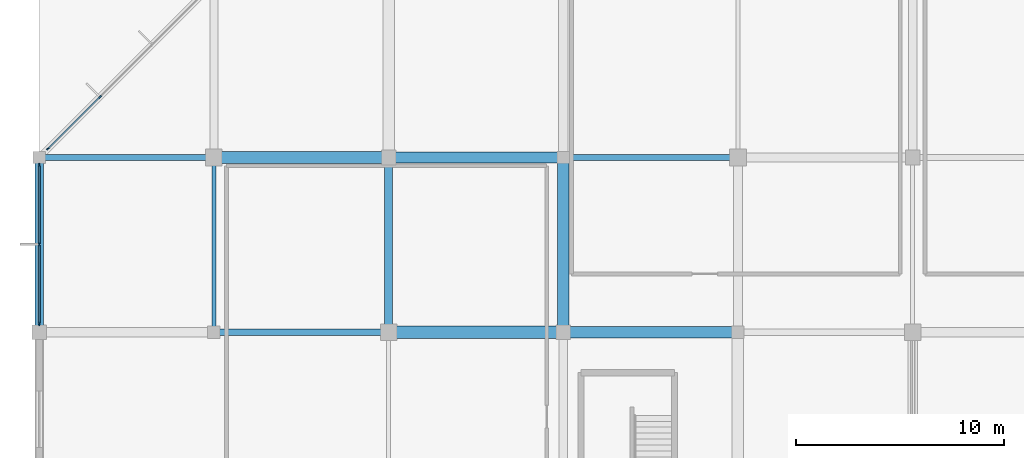
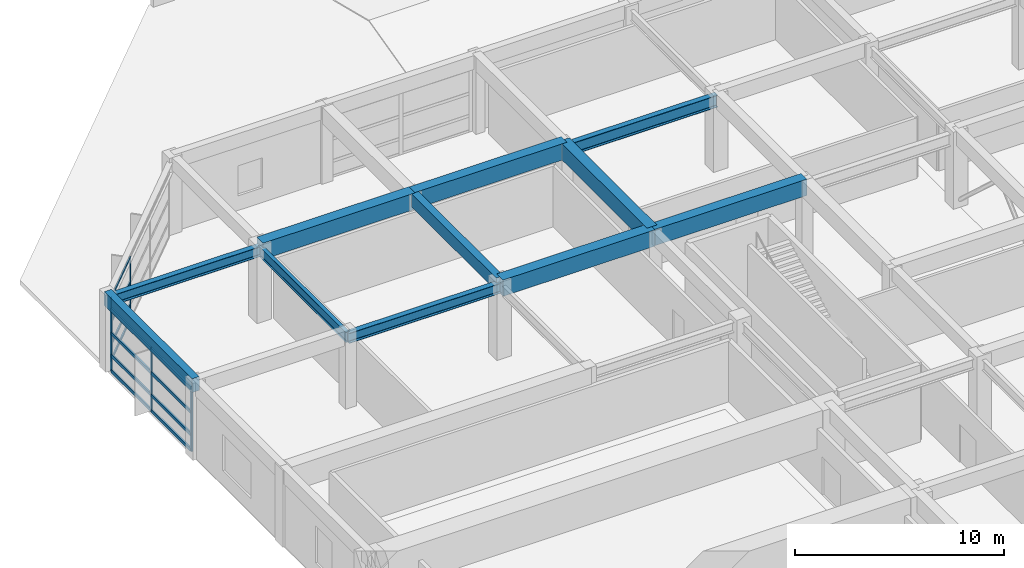
# One storey, part 20 of 60: 17 members, 11 beams, 2 elements without a shape of their own.
"""IFC4 building model written with IfcOpenShell, lengths in metres."""

import ifcopenshell
import ifcopenshell.guid

model = None  # the IFC model being written
_history = None  # IfcOwnerHistory: only IFC2X3 demands one
_inside = {}  # id of a spatial element -> (the spatial element, [elements in it])
_under = {}  # id of a project, library or spatial element -> (it, [spatial elements below it])
_declared = {}  # id of a project -> (the project, [libraries it declares])
_typed = {}  # id of a type object -> (the type object, [elements of that type])
_made_of = {}  # id of a material, layer set ... -> (it, [elements and type objects made of it])


def new_model(schema):
    """Start an empty IFC model of exactly this schema.

    Asked for "IFC4X3", IfcOpenShell would pick the latest addendum, in which some entities
    have other attributes; the version numbers below select the first issue.
    IFC2X3 requires an IfcOwnerHistory on every rooted entity: one is made here for all.
    """
    global model, _history
    if schema == "IFC4X3":
        model = ifcopenshell.file(schema_version=(4, 3, 0, 0))
    else:
        model = ifcopenshell.file(schema=schema)
    _inside.clear()
    _under.clear()
    _declared.clear()
    _typed.clear()
    _made_of.clear()
    _history = None
    if model.schema == "IFC2X3":
        org = make("IfcOrganization", Name="unknown")
        user = make(
            "IfcPersonAndOrganization",
            ThePerson=make("IfcPerson", FamilyName="unknown"),
            TheOrganization=org,
        )
        app = make(
            "IfcApplication",
            ApplicationDeveloper=org,
            Version="unknown",
            ApplicationFullName="unknown",
            ApplicationIdentifier="unknown",
        )
        _history = make(
            "IfcOwnerHistory",
            OwningUser=user,
            OwningApplication=app,
            ChangeAction="ADDED",
            CreationDate=0,
        )
    return model


def make(cls, **values):
    """One entity of the class cls with the attributes given. An attribute that is None is left unset."""
    return model.create_entity(
        cls, **{name: value for name, value in values.items() if value is not None}
    )


def rooted(cls, **values):
    """An entity with a GlobalId (a new one), such as an element, a storey or a relation."""
    return make(cls, GlobalId=ifcopenshell.guid.new(), OwnerHistory=_history, **values)


def si_unit(unit_type, name, prefix=None):
    """IfcSIUnit, for example si_unit("LENGTHUNIT", "METRE", prefix="MILLI")."""
    return make("IfcSIUnit", UnitType=unit_type, Prefix=prefix, Name=name)


def assignment(units):
    """IfcUnitAssignment: the units of a project."""
    return None if units is None else make("IfcUnitAssignment", Units=units)


def point(xyz):
    """IfcCartesianPoint."""
    return None if xyz is None else make("IfcCartesianPoint", Coordinates=xyz)


def direction(xyz):
    """IfcDirection."""
    return None if xyz is None else make("IfcDirection", DirectionRatios=xyz)


def frame(location, z_axis=None, x_axis=None):
    """IfcAxis2Placement3D, a coordinate frame: its origin and axes. An axis left out is left unset."""
    return make(
        "IfcAxis2Placement3D",
        Location=point(location),
        Axis=direction(z_axis),
        RefDirection=direction(x_axis),
    )


def frame_2d(location, x_axis=None):
    """IfcAxis2Placement2D, a coordinate frame in the plane: its origin and x axis."""
    return make(
        "IfcAxis2Placement2D", Location=point(location), RefDirection=direction(x_axis)
    )


def origin():
    """The frame at (0, 0, 0) with its axes left unset."""
    return frame((0.0, 0.0, 0.0))


def origin_2d():
    """The frame at (0, 0) in the plane with its x axis left unset."""
    return frame_2d((0.0, 0.0))


def place(relative_to, where):
    """IfcLocalPlacement: puts the frame where relative to a parent placement (None: the world)."""
    return make(
        "IfcLocalPlacement", PlacementRelTo=relative_to, RelativePlacement=where
    )


def context(
    kind, dimensions, precision=None, world=None, true_north=None, identifier=None
):
    """IfcGeometricRepresentationContext, for example the 3D "Model" context."""
    return make(
        "IfcGeometricRepresentationContext",
        ContextIdentifier=identifier,
        ContextType=kind,
        CoordinateSpaceDimension=dimensions,
        Precision=precision,
        WorldCoordinateSystem=world,
        TrueNorth=true_north,
    )


def subcontext(parent, identifier, kind, view, scale=None):
    """IfcGeometricRepresentationSubContext, for example "Body" below "Model"."""
    return make(
        "IfcGeometricRepresentationSubContext",
        ContextIdentifier=identifier,
        ContextType=kind,
        ParentContext=parent,
        TargetScale=scale,
        TargetView=view,
    )


def project(units=None, contexts=None):
    """IfcProject with its units and contexts."""
    return rooted(
        "IfcProject",
        Name="project",
        RepresentationContexts=contexts,
        UnitsInContext=assignment(units),
    )


def spatial(cls, under=None, at=None, **own):
    """A site, building, storey or space (cls), placed at a placement, below another one or the project."""
    s = rooted(cls, ObjectPlacement=at, **own)
    if under is not None:
        _under.setdefault(under.id(), (under, []))[1].append(s)
    return s


def profile(cls, at=None, kind="AREA", **sizes):
    """A parametric profile (cls). Its sizes go by their IFC names, for example OverallWidth=200.0."""
    return make(cls, ProfileType=kind, Position=at, **sizes)


def rectangle(**sizes):
    """IfcRectangleProfileDef."""
    return profile("IfcRectangleProfileDef", **sizes)


def i_section(**sizes):
    """IfcIShapeProfileDef."""
    return profile("IfcIShapeProfileDef", **sizes)


def extrude(swept, where, along, depth):
    """IfcExtrudedAreaSolid: the profile swept, set in the frame where, extruded along a direction by depth."""
    return make(
        "IfcExtrudedAreaSolid",
        SweptArea=swept,
        Position=where,
        ExtrudedDirection=direction(along),
        Depth=depth,
    )


def shape(context_of_items, identifier, shape_type, items):
    """IfcShapeRepresentation: the items that make up one representation, for example the "Body"."""
    return make(
        "IfcShapeRepresentation",
        ContextOfItems=context_of_items,
        RepresentationIdentifier=identifier,
        RepresentationType=shape_type,
        Items=items,
    )


def material(Name=None, Category=None):
    """IfcMaterial."""
    return make("IfcMaterial", Name=Name, Category=Category)


def material_profile(
    of_material, cross_section, Name=None, Category=None, Priority=None
):
    """IfcMaterialProfile: a cross section and its material."""
    return make(
        "IfcMaterialProfile",
        Name=Name,
        Material=of_material,
        Profile=cross_section,
        Priority=Priority,
        Category=Category,
    )


def profile_set(profiles, Name=None, composite=None):
    """IfcMaterialProfileSet."""
    return make(
        "IfcMaterialProfileSet",
        Name=Name,
        MaterialProfiles=profiles,
        CompositeProfile=composite,
    )


def made_of(thing, what):
    """Note that an element or type object is made of a material, layer set ...; save() writes the relation."""
    if what is not None:
        _made_of.setdefault(what.id(), (what, []))[1].append(thing)
    return thing


def type_object(cls, material=None, **own):
    """A type object (cls), such as IfcWallType, which elements share."""
    return made_of(rooted(cls, **own), material)


def element(
    cls,
    number,
    at=None,
    inside=None,
    cuts=None,
    type_object=None,
    material=None,
    context=None,
    identifier="Body",
    shape_type=None,
    held_by="IfcProductDefinitionShape",
    body=None,
    shapes=None,
    **own,
):
    """One element of the class cls, such as IfcWall. Its Tag is "e" and its number.

    at: its placement. inside: the storey or other place that contains it. cuts: it is an
    opening in that element (IfcRelVoidsElement). A single representation is given by context,
    identifier, shape_type and body (its items); several are given by shapes. held_by: the class
    of the entity that holds the representations. save() writes the other relations.
    """
    e = rooted(cls, Tag="e%d" % number, ObjectPlacement=at, **own)
    if body is not None:
        shapes = [shape(context, identifier, shape_type, body)]
    if shapes is not None:
        e.Representation = make(held_by, Representations=shapes)
    if inside is not None:
        _inside.setdefault(inside.id(), (inside, []))[1].append(e)
    if cuts is not None:
        rooted(
            "IfcRelVoidsElement", RelatingBuildingElement=cuts, RelatedOpeningElement=e
        )
    if type_object is not None:
        _typed.setdefault(type_object.id(), (type_object, []))[1].append(e)
    return made_of(e, material)


def aggregate(whole, parts):
    """IfcRelAggregates: a whole, such as a stair, and the parts it consists of."""
    return rooted("IfcRelAggregates", RelatingObject=whole, RelatedObjects=parts)


def save(model, path):
    """Write the relations noted so far, then the file.

    IfcRelAggregates (storeys below a building ...), IfcRelContainedInSpatialStructure (elements
    in a storey), IfcRelDefinesByType, IfcRelAssociatesMaterial and IfcRelDeclares: one each for
    every whole, place, type object, material and project.
    """
    for whole, parts in _under.values():
        aggregate(whole, parts)
    for where, things in _inside.values():
        rooted(
            "IfcRelContainedInSpatialStructure",
            RelatedElements=things,
            RelatingStructure=where,
        )
    for kind, things in _typed.values():
        rooted("IfcRelDefinesByType", RelatedObjects=things, RelatingType=kind)
    for what, things in _made_of.values():
        rooted("IfcRelAssociatesMaterial", RelatedObjects=things, RelatingMaterial=what)
    for by, libraries in _declared.values():
        rooted("IfcRelDeclares", RelatingContext=by, RelatedDefinitions=libraries)
    model.write(path)


model = new_model("IFC4")

# Units and contexts
model_context = context("Model", 3, precision=1e-05, world=origin(), true_north=direction((0.0, 1.0)))
body_context = subcontext(model_context, "Body", "Model", "MODEL_VIEW")
ifc_project = project(units=[si_unit("LENGTHUNIT", "METRE"), si_unit("AREAUNIT", "SQUARE_METRE"), si_unit("VOLUMEUNIT", "CUBIC_METRE"), si_unit("PLANEANGLEUNIT", "RADIAN"), si_unit("MASSUNIT", "GRAM", prefix="KILO")], contexts=[model_context])

# Site, building, storey
site_placement = place(None, origin())
site = spatial("IfcSite", under=ifc_project, at=site_placement, CompositionType="ELEMENT")
building_placement = place(site_placement, origin())
building = spatial("IfcBuilding", under=site, at=building_placement, Name="Xuanlan Plaza Opera House", CompositionType="ELEMENT")
storey_placement = place(building_placement, frame((0.0, 0.0, 9.89990234375)))
storey = spatial("IfcBuildingStorey", under=building, at=storey_placement, Name="L02", CompositionType="ELEMENT", Elevation=9.89990234375)

# Curtain wall, members
ifc_material_1 = material(Name="Anodised Aluminium 6063-T6 and Low-E Glass", Category="aluminium")
curtain_wall_type_1 = type_object("IfcCurtainWallType", Name="ENV-CW-CW-03", PredefinedType="USERDEFINED", material=ifc_material_1)
curtain_wall_1_placement = place(storey_placement, origin())
curtain_wall_1 = element("IfcCurtainWall", 1, at=curtain_wall_1_placement, inside=storey, type_object=curtain_wall_type_1, Name="Unitised Curtain Wall L02-047", ObjectType="UNITISED CURTAIN WALL", PredefinedType="USERDEFINED")
ifc_material_2 = material(Name="Anodised Aluminium 6063-T6", Category="aluminium")
ifc_material_profile_1 = material_profile(ifc_material_2, rectangle(XDim=0.06494140625, YDim=0.159912109375, at=origin_2d()), Name="ALU-M 65x160")
ifc_profile_set_1 = profile_set([ifc_material_profile_1], Name="Anodised Aluminium 6063-T6")
member_type_1 = type_object("IfcMemberType", Name="ENV-CWM-01", PredefinedType="MULLION", material=ifc_profile_set_1)
member_1_placement = place(storey_placement, frame((2.916259765625, 95.31640625, 0.0), z_axis=(0.0, 0.0, 1.0), x_axis=(0.707106781187, -0.707106781187, 0.0)))
member_1 = element("IfcMember", 2, at=member_1_placement, type_object=member_type_1, Name="CW-03 mullion 3", PredefinedType="MULLION", context=body_context, shape_type="SweptSolid", body=[
    extrude(rectangle(XDim=0.06494140625, YDim=0.159912109375, at=origin_2d()), origin(), (0.0, 0.0, 1.0), 3.68017578125),
])
member_2_placement = place(storey_placement, frame((0.421875, 92.822021484375, 0.0), z_axis=(0.0, 0.0, 1.0), x_axis=(0.707106781187, -0.707106781187, 0.0)))
member_2 = element("IfcMember", 3, at=member_2_placement, type_object=member_type_1, Name="CW-03 mullion 4", PredefinedType="MULLION", context=body_context, shape_type="SweptSolid", body=[
    extrude(rectangle(XDim=0.06494140625, YDim=0.159912109375, at=origin_2d()), origin(), (0.0, 0.0, 1.0), 3.68017578125),
])

curtain_wall_type_2 = type_object("IfcCurtainWallType", Name="ENV-CW-CW-04", PredefinedType="USERDEFINED", material=ifc_material_1)
curtain_wall_2_placement = place(storey_placement, origin())
curtain_wall_2 = element("IfcCurtainWall", 4, at=curtain_wall_2_placement, inside=storey, type_object=curtain_wall_type_2, Name="Unitised Curtain Wall L02-048", ObjectType="UNITISED CURTAIN WALL", PredefinedType="USERDEFINED")
ifc_material_profile_2 = material_profile(ifc_material_2, rectangle(XDim=0.070068359375, YDim=0.179931640625, at=origin_2d()), Name="ALU-M 70x180")
ifc_profile_set_2 = profile_set([ifc_material_profile_2], Name="Anodised Aluminium 6063-T6")
member_type_2 = type_object("IfcMemberType", Name="ENV-CWM-02", PredefinedType="MULLION", material=ifc_profile_set_2)
member_3_placement = place(storey_placement, frame((0.0, 92.044921875, 0.0), z_axis=(0.0, 0.0, 1.0), x_axis=(1.0, 0.0, 0.0)))
member_3 = element("IfcMember", 5, at=member_3_placement, type_object=member_type_2, Name="CW-04 mullion 1", PredefinedType="MULLION", context=body_context, shape_type="SweptSolid", body=[
    extrude(rectangle(XDim=0.070068359375, YDim=0.179931640625, at=origin_2d()), origin(), (0.0, 0.0, 1.0), 3.68017578125),
])
member_4_placement = place(storey_placement, frame((0.0, 88.22509765625, 0.0), z_axis=(0.0, 0.0, 1.0), x_axis=(1.0, 0.0, 0.0)))
member_4 = element("IfcMember", 6, at=member_4_placement, type_object=member_type_2, Name="CW-04 mullion 2", PredefinedType="MULLION", context=body_context, shape_type="SweptSolid", body=[
    extrude(rectangle(XDim=0.070068359375, YDim=0.179931640625, at=origin_2d()), origin(), (0.0, 0.0, 1.0), 3.68017578125),
])
member_5_placement = place(storey_placement, frame((0.0, 84.405029296875, 0.0), z_axis=(0.0, 0.0, 1.0), x_axis=(1.0, 0.0, 0.0)))
member_5 = element("IfcMember", 7, at=member_5_placement, type_object=member_type_2, Name="CW-04 mullion 3", PredefinedType="MULLION", context=body_context, shape_type="SweptSolid", body=[
    extrude(rectangle(XDim=0.070068359375, YDim=0.179931640625, at=origin_2d()), origin(), (0.0, 0.0, 1.0), 3.68017578125),
])

# Member
ifc_material_profile_3 = material_profile(ifc_material_2, rectangle(XDim=0.074951171875, YDim=0.14990234375, at=origin_2d()), Name="ALU-T 75x150")
ifc_profile_set_3 = profile_set([ifc_material_profile_3], Name="Anodised Aluminium 6063-T6")
member_type_3 = type_object("IfcMemberType", Name="ENV-CWT-03", PredefinedType="USERDEFINED", material=ifc_profile_set_3)
member_6_placement = place(storey_placement, frame((2.893310546875, 95.29345703125, 0.03759765625), z_axis=(-0.707071525445, -0.70714203517, 0.0), x_axis=(0.70714203517, -0.707071525445, 0.0)))
member_6 = element("IfcMember", 8, at=member_6_placement, type_object=member_type_3, Name="CW-03 transom 3.1", ObjectType="TRANSOM", PredefinedType="USERDEFINED", context=body_context, shape_type="SweptSolid", body=[
    extrude(rectangle(XDim=0.074951171875, YDim=0.14990234375, at=origin_2d()), origin(), (0.0, 0.0, 1.0), 3.46240234375),
])

member_7_placement = place(storey_placement, frame((2.893310546875, 95.29345703125, 0.9501953125), z_axis=(-0.707071525445, -0.70714203517, 0.0), x_axis=(0.70714203517, -0.707071525445, 0.0)))
member_7 = element("IfcMember", 9, at=member_7_placement, type_object=member_type_3, Name="CW-03 transom 3.2", ObjectType="TRANSOM", PredefinedType="USERDEFINED", context=body_context, shape_type="SweptSolid", body=[
    extrude(rectangle(XDim=0.074951171875, YDim=0.14990234375, at=origin_2d()), origin(), (0.0, 0.0, 1.0), 3.46240234375),
])

member_8_placement = place(storey_placement, frame((2.893310546875, 95.29345703125, 2.25), z_axis=(-0.707071525445, -0.70714203517, 0.0), x_axis=(0.70714203517, -0.707071525445, 0.0)))
member_8 = element("IfcMember", 10, at=member_8_placement, type_object=member_type_3, Name="CW-03 transom 3.3", ObjectType="TRANSOM", PredefinedType="USERDEFINED", context=body_context, shape_type="SweptSolid", body=[
    extrude(rectangle(XDim=0.074951171875, YDim=0.14990234375, at=origin_2d()), origin(), (0.0, 0.0, 1.0), 3.46240234375),
])

member_9_placement = place(storey_placement, frame((2.893310546875, 95.29345703125, 3.642578125), z_axis=(-0.707071525445, -0.70714203517, 0.0), x_axis=(0.70714203517, -0.707071525445, 0.0)))
member_9 = element("IfcMember", 11, at=member_9_placement, type_object=member_type_3, Name="CW-03 transom 3.4", ObjectType="TRANSOM", PredefinedType="USERDEFINED", context=body_context, shape_type="SweptSolid", body=[
    extrude(rectangle(XDim=0.074951171875, YDim=0.14990234375, at=origin_2d()), origin(), (0.0, 0.0, 1.0), 3.46240234375),
])

aggregate(curtain_wall_1, [member_1, member_2, member_6, member_7, member_8, member_9])

ifc_material_profile_4 = material_profile(ifc_material_2, rectangle(XDim=0.090087890625, YDim=0.179931640625, at=origin_2d()), Name="ALU-T 90x180")
ifc_profile_set_4 = profile_set([ifc_material_profile_4], Name="Anodised Aluminium 6063-T6")
member_type_4 = type_object("IfcMemberType", Name="ENV-CWT-05", PredefinedType="USERDEFINED", material=ifc_profile_set_4)
member_10_placement = place(storey_placement, frame((0.0, 92.010009765625, 0.045166015625), z_axis=(0.0, -1.0, 0.0), x_axis=(1.0, 0.0, 0.0)))
member_10 = element("IfcMember", 12, at=member_10_placement, type_object=member_type_4, Name="CW-04 transom 1.1", ObjectType="TRANSOM", PredefinedType="USERDEFINED", context=body_context, shape_type="SweptSolid", body=[
    extrude(rectangle(XDim=0.090087890625, YDim=0.179931640625, at=origin_2d()), origin(), (0.0, 0.0, 1.0), 3.75),
])

member_11_placement = place(storey_placement, frame((0.0, 92.010009765625, 0.9501953125), z_axis=(0.0, -1.0, 0.0), x_axis=(1.0, 0.0, 0.0)))
member_11 = element("IfcMember", 13, at=member_11_placement, type_object=member_type_4, Name="CW-04 transom 1.2", ObjectType="TRANSOM", PredefinedType="USERDEFINED", context=body_context, shape_type="SweptSolid", body=[
    extrude(rectangle(XDim=0.090087890625, YDim=0.179931640625, at=origin_2d()), origin(), (0.0, 0.0, 1.0), 3.75),
])

member_12_placement = place(storey_placement, frame((0.0, 92.010009765625, 2.25), z_axis=(0.0, -1.0, 0.0), x_axis=(1.0, 0.0, 0.0)))
member_12 = element("IfcMember", 14, at=member_12_placement, type_object=member_type_4, Name="CW-04 transom 1.3", ObjectType="TRANSOM", PredefinedType="USERDEFINED", context=body_context, shape_type="SweptSolid", body=[
    extrude(rectangle(XDim=0.090087890625, YDim=0.179931640625, at=origin_2d()), origin(), (0.0, 0.0, 1.0), 3.75),
])

member_13_placement = place(storey_placement, frame((0.0, 92.010009765625, 3.635009765625), z_axis=(0.0, -1.0, 0.0), x_axis=(1.0, 0.0, 0.0)))
member_13 = element("IfcMember", 15, at=member_13_placement, type_object=member_type_4, Name="CW-04 transom 1.4", ObjectType="TRANSOM", PredefinedType="USERDEFINED", context=body_context, shape_type="SweptSolid", body=[
    extrude(rectangle(XDim=0.090087890625, YDim=0.179931640625, at=origin_2d()), origin(), (0.0, 0.0, 1.0), 3.75),
])

member_14_placement = place(storey_placement, frame((0.0, 88.18994140625, 0.045166015625), z_axis=(0.0, -1.0, 0.0), x_axis=(1.0, 0.0, 0.0)))
member_14 = element("IfcMember", 16, at=member_14_placement, type_object=member_type_4, Name="CW-04 transom 2.1", ObjectType="TRANSOM", PredefinedType="USERDEFINED", context=body_context, shape_type="SweptSolid", body=[
    extrude(rectangle(XDim=0.090087890625, YDim=0.179931640625, at=origin_2d()), origin(), (0.0, 0.0, 1.0), 3.75),
])

member_15_placement = place(storey_placement, frame((0.0, 88.18994140625, 0.9501953125), z_axis=(0.0, -1.0, 0.0), x_axis=(1.0, 0.0, 0.0)))
member_15 = element("IfcMember", 17, at=member_15_placement, type_object=member_type_4, Name="CW-04 transom 2.2", ObjectType="TRANSOM", PredefinedType="USERDEFINED", context=body_context, shape_type="SweptSolid", body=[
    extrude(rectangle(XDim=0.090087890625, YDim=0.179931640625, at=origin_2d()), origin(), (0.0, 0.0, 1.0), 3.75),
])

member_16_placement = place(storey_placement, frame((0.0, 88.18994140625, 2.25), z_axis=(0.0, -1.0, 0.0), x_axis=(1.0, 0.0, 0.0)))
member_16 = element("IfcMember", 18, at=member_16_placement, type_object=member_type_4, Name="CW-04 transom 2.3", ObjectType="TRANSOM", PredefinedType="USERDEFINED", context=body_context, shape_type="SweptSolid", body=[
    extrude(rectangle(XDim=0.090087890625, YDim=0.179931640625, at=origin_2d()), origin(), (0.0, 0.0, 1.0), 3.75),
])

member_17_placement = place(storey_placement, frame((0.0, 88.18994140625, 3.635009765625), z_axis=(0.0, -1.0, 0.0), x_axis=(1.0, 0.0, 0.0)))
member_17 = element("IfcMember", 19, at=member_17_placement, type_object=member_type_4, Name="CW-04 transom 2.4", ObjectType="TRANSOM", PredefinedType="USERDEFINED", context=body_context, shape_type="SweptSolid", body=[
    extrude(rectangle(XDim=0.090087890625, YDim=0.179931640625, at=origin_2d()), origin(), (0.0, 0.0, 1.0), 3.75),
])

aggregate(curtain_wall_2, [member_3, member_4, member_5, member_10, member_11, member_12, member_13, member_14, member_15, member_16, member_17])

# Beams
ifc_material_3 = material(Name="Concrete C50", Category="concrete")
ifc_material_profile_5 = material_profile(ifc_material_3, rectangle(XDim=0.60009765625, YDim=0.949951171875, at=origin_2d()), Name="RC-BM 600x950")
ifc_profile_set_5 = profile_set([ifc_material_profile_5], Name="Concrete C50")
beam_type_1 = type_object("IfcBeamType", Name="STR-BM-B-01", PredefinedType="BEAM", material=ifc_profile_set_5)
beam_1_placement = place(storey_placement, frame((16.800048828125, 84.0, 4.025146484375), z_axis=(1.0, 0.0, 0.0), x_axis=(0.0, 1.0, 0.0)))
element("IfcBeam", 20, at=beam_1_placement, inside=storey, type_object=beam_type_1, Name="Grid Beam X L02 3-4/K", PredefinedType="BEAM", context=body_context, shape_type="SweptSolid", body=[
    extrude(rectangle(XDim=0.60009765625, YDim=0.949951171875, at=origin_2d()), origin(), (0.0, 0.0, 1.0), 8.39990234375),
])
beam_2_placement = place(storey_placement, frame((8.39990234375, 92.39990234375, 4.025146484375), z_axis=(1.0, 0.0, 0.0), x_axis=(0.0, 1.0, 0.0)))
element("IfcBeam", 21, at=beam_2_placement, inside=storey, type_object=beam_type_1, Name="Grid Beam X L02 2-3/L", PredefinedType="BEAM", context=body_context, shape_type="SweptSolid", body=[
    extrude(rectangle(XDim=0.60009765625, YDim=0.949951171875, at=origin_2d()), origin(), (0.0, 0.0, 1.0), 8.400146484375),
])
ifc_material_profile_6 = material_profile(ifc_material_3, rectangle(XDim=0.550048828125, YDim=0.949951171875, at=origin_2d()), Name="RC-BM 550x950")
ifc_profile_set_6 = profile_set([ifc_material_profile_6], Name="Concrete C50")
beam_type_2 = type_object("IfcBeamType", Name="STR-BM-B-02", PredefinedType="BEAM", material=ifc_profile_set_6)
beam_3_placement = place(storey_placement, frame((25.199951171875, 84.0, 4.025146484375), z_axis=(1.0, 0.0, 0.0), x_axis=(0.0, 1.0, 0.0)))
element("IfcBeam", 22, at=beam_3_placement, inside=storey, type_object=beam_type_2, Name="Grid Beam X L02 4-5/K", PredefinedType="BEAM", context=body_context, shape_type="SweptSolid", body=[
    extrude(rectangle(XDim=0.550048828125, YDim=0.949951171875, at=origin_2d()), origin(), (0.0, 0.0, 1.0), 8.400146484375),
])
for number, where, z_axis, x_axis, name in (
    (23, (16.800048828125, 92.39990234375, 4.025146484375), (1.0, 0.0, 0.0), (0.0, 1.0, 0.0), "Grid Beam X L02 3-4/L"),
    (24, (25.199951171875, 84.0, 4.025146484375), (0.0, 1.0, 0.0), (-1.0, 0.0, 0.0), "Grid Beam Y L02 4/K-L"),
):
    element("IfcBeam", number, at=place(storey_placement, frame(where, z_axis=z_axis, x_axis=x_axis)), inside=storey, type_object=beam_type_2, Name=name, PredefinedType="BEAM", context=body_context, shape_type="SweptSolid", body=[
        extrude(rectangle(XDim=0.550048828125, YDim=0.949951171875, at=origin_2d()), origin(), (0.0, 0.0, 1.0), 8.39990234375),
    ])
ifc_material_4 = material(Name="Concrete C40", Category="concrete")
ifc_material_profile_7 = material_profile(ifc_material_4, rectangle(XDim=0.39990234375, YDim=0.75, at=origin_2d()), Name="RC-BM 400x750")
ifc_profile_set_7 = profile_set([ifc_material_profile_7], Name="Concrete C40")
beam_type_3 = type_object("IfcBeamType", Name="STR-BM-B-06", PredefinedType="BEAM", material=ifc_profile_set_7)
beam_4_placement = place(storey_placement, frame((16.800048828125, 84.0, 4.125), z_axis=(0.0, 1.0, 0.0), x_axis=(-1.0, 0.0, 0.0)))
element("IfcBeam", 25, at=beam_4_placement, inside=storey, type_object=beam_type_3, Name="Grid Beam Y L02 3/K-L", PredefinedType="BEAM", context=body_context, shape_type="SweptSolid", body=[
    extrude(rectangle(XDim=0.39990234375, YDim=0.75, at=origin_2d()), origin(), (0.0, 0.0, 1.0), 8.39990234375),
])
ifc_material_5 = material(Name="Steel Q355B", Category="steel")
ifc_material_profile_8 = material_profile(ifc_material_5, i_section(OverallWidth=0.300048828125, OverallDepth=0.699951171875, WebThickness=0.012939453125, FlangeThickness=0.02392578125, FilletRadius=0.02392578125, at=origin_2d()), Name="HN 700x300x13x24")
ifc_profile_set_8 = profile_set([ifc_material_profile_8], Name="Steel Q355B")
beam_type_4 = type_object("IfcBeamType", Name="STR-BM-SB-03", PredefinedType="BEAM", material=ifc_profile_set_8)
beam_5_placement = place(storey_placement, frame((25.199951171875, 92.39990234375, 3.885009765625), z_axis=(1.0, 0.0, 0.0), x_axis=(0.0, 1.0, 0.0)))
element("IfcBeam", 26, at=beam_5_placement, inside=storey, type_object=beam_type_4, Name="Grid Beam X L02 4-5/L", PredefinedType="BEAM", context=body_context, shape_type="SweptSolid", body=[
    extrude(i_section(OverallWidth=0.300048828125, OverallDepth=0.699951171875, WebThickness=0.012939453125, FlangeThickness=0.02392578125, FilletRadius=0.02392578125, at=origin_2d()), origin(), (0.0, 0.0, 1.0), 8.400146484375),
])
ifc_material_profile_9 = material_profile(ifc_material_5, i_section(OverallWidth=0.199951171875, OverallDepth=0.60009765625, WebThickness=0.010986328125, FlangeThickness=0.01708984375, FilletRadius=0.02197265625, at=origin_2d()), Name="HN 600x200x11x17")
ifc_profile_set_9 = profile_set([ifc_material_profile_9], Name="Steel Q355B")
beam_type_5 = type_object("IfcBeamType", Name="STR-BM-SB-04", PredefinedType="BEAM", material=ifc_profile_set_9)
beam_6_placement = place(storey_placement, frame((8.39990234375, 84.0, 3.93505859375), z_axis=(0.0, 1.0, 0.0), x_axis=(-1.0, 0.0, 0.0)))
element("IfcBeam", 27, at=beam_6_placement, inside=storey, type_object=beam_type_5, Name="Grid Beam Y L02 2/K-L", PredefinedType="BEAM", context=body_context, shape_type="SweptSolid", body=[
    extrude(i_section(OverallWidth=0.199951171875, OverallDepth=0.60009765625, WebThickness=0.010986328125, FlangeThickness=0.01708984375, FilletRadius=0.02197265625, at=origin_2d()), origin(), (0.0, 0.0, 1.0), 8.39990234375),
])
ifc_material_profile_10 = material_profile(ifc_material_5, i_section(OverallWidth=0.300048828125, OverallDepth=0.587890625, WebThickness=0.011962890625, FlangeThickness=0.02001953125, FilletRadius=0.02392578125, at=origin_2d()), Name="HM 588x300x12x20")
ifc_profile_set_10 = profile_set([ifc_material_profile_10], Name="Steel Q355B")
beam_type_6 = type_object("IfcBeamType", Name="STR-BM-SB-06", PredefinedType="BEAM", material=ifc_profile_set_10)
beam_7_placement = place(storey_placement, frame((8.39990234375, 84.0, 3.941162109375), z_axis=(1.0, 0.0, 0.0), x_axis=(0.0, 1.0, 0.0)))
element("IfcBeam", 28, at=beam_7_placement, inside=storey, type_object=beam_type_6, Name="Grid Beam X L02 2-3/K", PredefinedType="BEAM", context=body_context, shape_type="SweptSolid", body=[
    extrude(i_section(OverallWidth=0.300048828125, OverallDepth=0.587890625, WebThickness=0.011962890625, FlangeThickness=0.02001953125, FilletRadius=0.02392578125, at=origin_2d()), origin(), (0.0, 0.0, 1.0), 8.400146484375),
])
beam_8_placement = place(storey_placement, frame((0.0, 92.39990234375, 3.941162109375), z_axis=(1.0, 0.0, 0.0), x_axis=(0.0, 1.0, 0.0)))
element("IfcBeam", 29, at=beam_8_placement, inside=storey, type_object=beam_type_6, Name="Grid Beam X L02 1-2/L", PredefinedType="BEAM", context=body_context, shape_type="SweptSolid", body=[
    extrude(i_section(OverallWidth=0.300048828125, OverallDepth=0.587890625, WebThickness=0.011962890625, FlangeThickness=0.02001953125, FilletRadius=0.02392578125, at=origin_2d()), origin(), (0.0, 0.0, 1.0), 8.39990234375),
])
ifc_material_profile_11 = material_profile(ifc_material_4, rectangle(XDim=0.39990234375, YDim=0.800048828125, at=origin_2d()), Name="RC-SPD 400x800")
ifc_profile_set_11 = profile_set([ifc_material_profile_11], Name="Concrete C40")
beam_type_7 = type_object("IfcBeamType", Name="STR-BM-SP-01", PredefinedType="SPANDREL", material=ifc_profile_set_11)
beam_9_placement = place(storey_placement, frame((0.0, 84.0, 4.10009765625), z_axis=(0.0, 1.0, 0.0), x_axis=(-1.0, 0.0, 0.0)))
element("IfcBeam", 30, at=beam_9_placement, inside=storey, type_object=beam_type_7, Name="Grid Beam Y L02 1/K-L", PredefinedType="SPANDREL", context=body_context, shape_type="SweptSolid", body=[
    extrude(rectangle(XDim=0.39990234375, YDim=0.800048828125, at=origin_2d()), origin(), (0.0, 0.0, 1.0), 8.39990234375),
])

save(model, "model.ifc")
